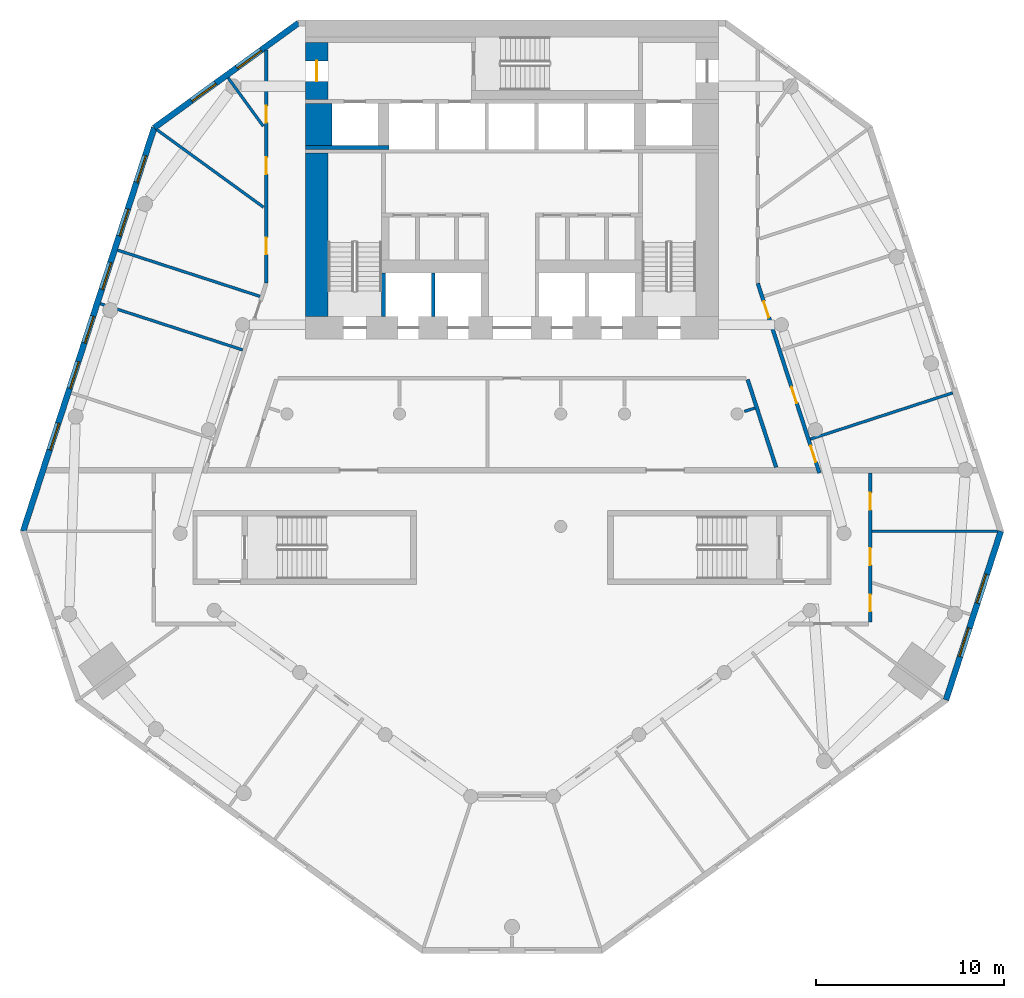
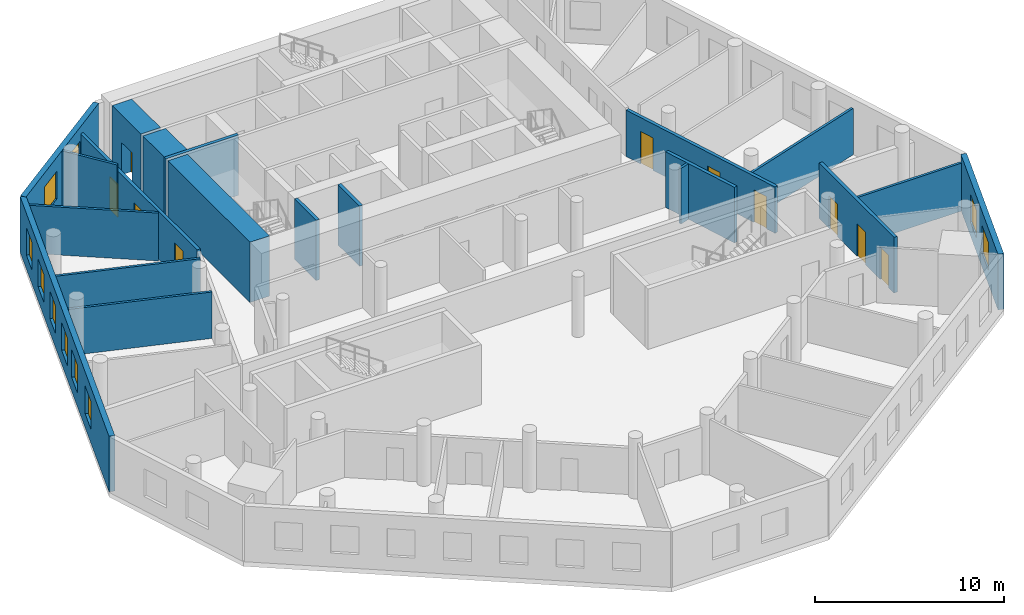
# One storey, part 4 of 9: 20 walls, 10 doors, 10 windows, 20 openings.
"""IFC4 building model written with IfcOpenShell, lengths in metres."""

from ifc_helpers import new_model, si_unit, direction, frame, frame_2d, origin, place, context, subcontext, project, spatial, rectangle, extrude, material, layer, layer_set, type_object, element, fill, save


model = new_model("IFC4")

# Units and contexts
model_context = context("Model", 3, precision=1e-05, world=origin(), true_north=direction((0.0, 1.0)))
body_context = subcontext(model_context, "Body", "Model", "MODEL_VIEW")
ifc_project = project(units=[si_unit("LENGTHUNIT", "METRE"), si_unit("AREAUNIT", "SQUARE_METRE"), si_unit("VOLUMEUNIT", "CUBIC_METRE"), si_unit("PLANEANGLEUNIT", "RADIAN"), si_unit("MASSUNIT", "GRAM", prefix="KILO")], contexts=[model_context])

# Site, building, storey
site_placement = place(None, origin())
site = spatial("IfcSite", under=ifc_project, at=site_placement, CompositionType="ELEMENT")
building_placement = place(site_placement, origin())
building = spatial("IfcBuilding", under=site, at=building_placement, Name="White Candle Pilgrim Tower", CompositionType="ELEMENT")
storey_placement = place(building_placement, frame((0.0, 0.0, 62.39990234375)))
storey = spatial("IfcBuildingStorey", under=building, at=storey_placement, Name="L12", CompositionType="ELEMENT", Elevation=62.39990234375)

# Wall, opening, door
ifc_material_1 = material(Name="Concrete C70/85", Category="concrete")
ifc_layer_1 = layer(ifc_material_1, 1.199951171875)
ifc_layer_set_1 = layer_set([ifc_layer_1], Name="Core wall 1200 mm Concrete C70/85")
wall_type_1 = type_object("IfcWallType", Name="Core wall 1200 mm Concrete C70/85", PredefinedType="SHEAR", material=ifc_layer_set_1)
wall_1_placement = place(storey_placement, frame((59.60009765625, 83.75, 0.0), z_axis=(0.0, 0.0, 1.0), x_axis=(0.0, 1.0, 0.0)))
wall_1 = element("IfcWall", 1, at=wall_1_placement, inside=storey, type_object=wall_type_1, Name="WL-L12-C46", PredefinedType="SHEAR", context=body_context, shape_type="SweptSolid", body=[
    extrude(rectangle(XDim=3.050048828125, YDim=1.199951171875, at=frame_2d((1.52490234375, 0.0))), origin(), (0.0, 0.0, 1.0), 3.900146484375),
])
opening_1_placement = place(wall_1_placement, frame((0.97509765625, 0.0, 0.0)))
opening_1 = element("IfcOpeningElement", 2, at=opening_1_placement, cuts=wall_1, Name="Opening T03-005", PredefinedType="OPENING", context=body_context, shape_type="SweptSolid", body=[
    extrude(rectangle(XDim=1.10009765625, YDim=2.10009765625, at=frame_2d((0.550048828125, 1.050048828125))), frame((0.0, 0.60986328125, 0.0), z_axis=(0.0, -1.0, 0.0), x_axis=(1.0, 0.0, 0.0)), (0.0, 0.0, 1.0), 1.219970703125),
])
ifc_material_2 = material(Name="Steel door leaf", Category="steel")
door_type_1 = type_object("IfcDoorType", Name="Fire door 1100 x 2100 EI 60", OperationType="NOTDEFINED", PredefinedType="DOOR", material=ifc_material_2)
door_1_placement = place(opening_1_placement, origin())
door_1 = element("IfcDoor", 3, at=door_1_placement, inside=storey, type_object=door_type_1, Name="Door T03-005", OperationType="SINGLE_SWING_LEFT", OverallHeight=2.10009765625, OverallWidth=1.10009765625, PredefinedType="DOOR", context=body_context, shape_type="SweptSolid", body=[
    extrude(rectangle(XDim=1.10009765625, YDim=2.10009765625, at=frame_2d((0.550048828125, 1.050048828125))), frame((0.0, 0.02490234375, 0.0), z_axis=(0.0, -1.0, 0.0), x_axis=(1.0, 0.0, 0.0)), (0.0, 0.0, 1.0), 0.050048828125),
])
fill(opening_1, door_1)

# Walls
ifc_layer_2 = layer(ifc_material_1, 1.39990234375)
ifc_layer_set_2 = layer_set([ifc_layer_2], Name="Core wall 1400 mm Concrete C70/85")
wall_type_2 = type_object("IfcWallType", Name="Core wall 1400 mm Concrete C70/85", PredefinedType="SHEAR", material=ifc_layer_set_2)
wall_2_placement = place(storey_placement, frame((59.699951171875, 81.300048828125, 0.0), z_axis=(0.0, 0.0, 1.0), x_axis=(0.0, 1.0, 0.0)))
element("IfcWall", 4, at=wall_2_placement, inside=storey, type_object=wall_type_2, Name="WL-L12-C41", PredefinedType="SHEAR", context=body_context, shape_type="SweptSolid", body=[
    extrude(rectangle(XDim=2.25, YDim=1.39990234375, at=frame_2d((1.125, 0.0))), origin(), (0.0, 0.0, 1.0), 3.900146484375),
])
ifc_layer_3 = layer(ifc_material_1, 0.199951171875)
ifc_layer_set_3 = layer_set([ifc_layer_3], Name="Core wall 200 mm Concrete C70/85")
wall_type_3 = type_object("IfcWallType", Name="Core wall 200 mm Concrete C70/85", PredefinedType="SHEAR", material=ifc_layer_set_3)
wall_3_placement = place(storey_placement, frame((59.0, 81.199951171875, 0.0), z_axis=(0.0, 0.0, 1.0), x_axis=(1.0, 0.0, 0.0)))
element("IfcWall", 5, at=wall_3_placement, inside=storey, type_object=wall_type_3, Name="WL-L12-C35", PredefinedType="SHEAR", context=body_context, shape_type="SweptSolid", body=[
    extrude(rectangle(XDim=4.449951171875, YDim=0.199951171875, at=frame_2d((2.22509765625, 0.0))), origin(), (0.0, 0.0, 1.0), 3.900146484375),
])

# Wall, openings, doors
ifc_material_3 = material(Name="Gypsum board on steel studs", Category="steel")
ifc_layer_4 = layer(ifc_material_3, 0.199951171875)
ifc_layer_set_4 = layer_set([ifc_layer_4], Name="Corridor wall 200 mm EI 45")
wall_type_4 = type_object("IfcWallType", Name="Corridor wall 200 mm EI 45", PredefinedType="PARTITIONING", material=ifc_layer_set_4)
wall_4_placement = place(storey_placement, frame((56.89990234375, 73.991455078125, 0.0), z_axis=(0.0, 0.0, 1.0), x_axis=(0.0, 1.0, 0.0)))
wall_4 = element("IfcWall", 6, at=wall_4_placement, inside=storey, type_object=wall_type_4, Name="WL-L12-P003", PredefinedType="PARTITIONING", context=body_context, shape_type="SweptSolid", body=[
    extrude(rectangle(XDim=12.40478515625, YDim=0.199951171875, at=frame_2d((6.202392578125, 0.0))), origin(), (0.0, 0.0, 1.0), 3.10009765625),
])
opening_2_placement = place(wall_4_placement, frame((1.507568359375, 0.0, 0.0)))
opening_2 = element("IfcOpeningElement", 7, at=opening_2_placement, cuts=wall_4, Name="Opening T03-118", PredefinedType="OPENING", context=body_context, shape_type="SweptSolid", body=[
    extrude(rectangle(XDim=0.89990234375, YDim=2.10009765625, at=frame_2d((0.449951171875, 1.050048828125))), frame((0.0, 0.10986328125, 0.0), z_axis=(0.0, -1.0, 0.0), x_axis=(1.0, 0.0, 0.0)), (0.0, 0.0, 1.0), 0.219970703125),
])
opening_3_placement = place(wall_4_placement, frame((5.78759765625, 0.0, 0.0)))
opening_3 = element("IfcOpeningElement", 8, at=opening_3_placement, cuts=wall_4, Name="Opening T03-119", PredefinedType="OPENING", context=body_context, shape_type="SweptSolid", body=[
    extrude(rectangle(XDim=0.89990234375, YDim=2.10009765625, at=frame_2d((0.449951171875, 1.050048828125))), frame((0.0, 0.10986328125, 0.0), z_axis=(0.0, -1.0, 0.0), x_axis=(1.0, 0.0, 0.0)), (0.0, 0.0, 1.0), 0.219970703125),
])
opening_4_placement = place(wall_4_placement, frame((8.533203125, 0.0, 0.0)))
opening_4 = element("IfcOpeningElement", 9, at=opening_4_placement, cuts=wall_4, Name="Opening T03-120", PredefinedType="OPENING", context=body_context, shape_type="SweptSolid", body=[
    extrude(rectangle(XDim=0.89990234375, YDim=2.10009765625, at=frame_2d((0.449951171875, 1.050048828125))), frame((0.0, 0.10986328125, 0.0), z_axis=(0.0, -1.0, 0.0), x_axis=(1.0, 0.0, 0.0)), (0.0, 0.0, 1.0), 0.219970703125),
])
door_type_2 = type_object("IfcDoorType", Name="Fire door 900 x 2100 EI 30", OperationType="NOTDEFINED", PredefinedType="DOOR", material=ifc_material_2)
door_2_placement = place(opening_2_placement, origin())
door_2 = element("IfcDoor", 10, at=door_2_placement, inside=storey, type_object=door_type_2, Name="Door T03-118", OperationType="SINGLE_SWING_RIGHT", OverallHeight=2.10009765625, OverallWidth=0.89990234375, PredefinedType="DOOR", context=body_context, shape_type="SweptSolid", body=[
    extrude(rectangle(XDim=0.89990234375, YDim=2.10009765625, at=frame_2d((0.449951171875, 1.050048828125))), frame((0.0, 0.02490234375, 0.0), z_axis=(0.0, -1.0, 0.0), x_axis=(1.0, 0.0, 0.0)), (0.0, 0.0, 1.0), 0.050048828125),
])
fill(opening_2, door_2)
door_3_placement = place(opening_3_placement, origin())
door_3 = element("IfcDoor", 11, at=door_3_placement, inside=storey, type_object=door_type_2, Name="Door T03-119", OperationType="SINGLE_SWING_LEFT", OverallHeight=2.10009765625, OverallWidth=0.89990234375, PredefinedType="DOOR", context=body_context, shape_type="SweptSolid", body=[
    extrude(rectangle(XDim=0.89990234375, YDim=2.10009765625, at=frame_2d((0.449951171875, 1.050048828125))), frame((0.0, 0.02490234375, 0.0), z_axis=(0.0, -1.0, 0.0), x_axis=(1.0, 0.0, 0.0)), (0.0, 0.0, 1.0), 0.050048828125),
])
fill(opening_3, door_3)
door_4_placement = place(opening_4_placement, origin())
door_4 = element("IfcDoor", 12, at=door_4_placement, inside=storey, type_object=door_type_2, Name="Door T03-120", OperationType="SINGLE_SWING_RIGHT", OverallHeight=2.10009765625, OverallWidth=0.89990234375, PredefinedType="DOOR", context=body_context, shape_type="SweptSolid", body=[
    extrude(rectangle(XDim=0.89990234375, YDim=2.10009765625, at=frame_2d((0.449951171875, 1.050048828125))), frame((0.0, 0.02490234375, 0.0), z_axis=(0.0, -1.0, 0.0), x_axis=(1.0, 0.0, 0.0)), (0.0, 0.0, 1.0), 0.050048828125),
])
fill(opening_4, door_4)

wall_5_placement = place(storey_placement, frame((83.10498046875, 73.960693359375, 0.0), z_axis=(0.0, 0.0, 1.0), x_axis=(0.308998312102, -0.951062586331, 0.0)))
wall_5 = element("IfcWall", 13, at=wall_5_placement, inside=storey, type_object=wall_type_4, Name="WL-L12-P005", PredefinedType="PARTITIONING", context=body_context, shape_type="SweptSolid", body=[
    extrude(rectangle(XDim=10.630859375, YDim=0.199951171875, at=frame_2d((5.3154296875, 0.0))), origin(), (0.0, 0.0, 1.0), 3.0),
])
opening_5_placement = place(wall_5_placement, frame((1.014404296875, 0.0, 0.0)))
opening_5 = element("IfcOpeningElement", 14, at=opening_5_placement, cuts=wall_5, Name="Opening T03-125", PredefinedType="OPENING", context=body_context, shape_type="SweptSolid", body=[
    extrude(rectangle(XDim=0.89990234375, YDim=2.10009765625, at=frame_2d((0.449951171875, 1.050048828125))), frame((0.0, 0.10986328125, 0.0), z_axis=(0.0, -1.0, 0.0), x_axis=(1.0, 0.0, 0.0)), (0.0, 0.0, 1.0), 0.219970703125),
])
opening_6_placement = place(wall_5_placement, frame((5.814208984375, 0.0, 0.0)))
opening_6 = element("IfcOpeningElement", 15, at=opening_6_placement, cuts=wall_5, Name="Opening T03-126", PredefinedType="OPENING", context=body_context, shape_type="SweptSolid", body=[
    extrude(rectangle(XDim=0.89990234375, YDim=2.10009765625, at=frame_2d((0.449951171875, 1.050048828125))), frame((0.0, 0.10986328125, 0.0), z_axis=(0.0, -1.0, 0.0), x_axis=(1.0, 0.0, 0.0)), (0.0, 0.0, 1.0), 0.219970703125),
])
opening_7_placement = place(wall_5_placement, frame((9.107666015625, 0.0, 0.0)))
opening_7 = element("IfcOpeningElement", 16, at=opening_7_placement, cuts=wall_5, Name="Opening T03-127", PredefinedType="OPENING", context=body_context, shape_type="SweptSolid", body=[
    extrude(rectangle(XDim=0.89990234375, YDim=2.10009765625, at=frame_2d((0.449951171875, 1.050048828125))), frame((0.0, 0.10986328125, 0.0), z_axis=(0.0, -1.0, 0.0), x_axis=(1.0, 0.0, 0.0)), (0.0, 0.0, 1.0), 0.219970703125),
])
door_5_placement = place(opening_5_placement, origin())
door_5 = element("IfcDoor", 17, at=door_5_placement, inside=storey, type_object=door_type_2, Name="Door T03-125", OperationType="SINGLE_SWING_LEFT", OverallHeight=2.10009765625, OverallWidth=0.89990234375, PredefinedType="DOOR", context=body_context, shape_type="SweptSolid", body=[
    extrude(rectangle(XDim=0.89990234375, YDim=2.10009765625, at=frame_2d((0.449951171875, 1.050048828125))), frame((0.0, 0.02490234375, 0.0), z_axis=(0.0, -1.0, 0.0), x_axis=(1.0, 0.0, 0.0)), (0.0, 0.0, 1.0), 0.050048828125),
])
fill(opening_5, door_5)
door_6_placement = place(opening_6_placement, origin())
door_6 = element("IfcDoor", 18, at=door_6_placement, inside=storey, type_object=door_type_2, Name="Door T03-126", OperationType="SINGLE_SWING_RIGHT", OverallHeight=2.10009765625, OverallWidth=0.89990234375, PredefinedType="DOOR", context=body_context, shape_type="SweptSolid", body=[
    extrude(rectangle(XDim=0.89990234375, YDim=2.10009765625, at=frame_2d((0.449951171875, 1.050048828125))), frame((0.0, 0.02490234375, 0.0), z_axis=(0.0, -1.0, 0.0), x_axis=(1.0, 0.0, 0.0)), (0.0, 0.0, 1.0), 0.050048828125),
])
fill(opening_6, door_6)
door_7_placement = place(opening_7_placement, origin())
door_7 = element("IfcDoor", 19, at=door_7_placement, inside=storey, type_object=door_type_2, Name="Door T03-127", OperationType="SINGLE_SWING_LEFT", OverallHeight=2.10009765625, OverallWidth=0.89990234375, PredefinedType="DOOR", context=body_context, shape_type="SweptSolid", body=[
    extrude(rectangle(XDim=0.89990234375, YDim=2.10009765625, at=frame_2d((0.449951171875, 1.050048828125))), frame((0.0, 0.02490234375, 0.0), z_axis=(0.0, -1.0, 0.0), x_axis=(1.0, 0.0, 0.0)), (0.0, 0.0, 1.0), 0.050048828125),
])
fill(opening_7, door_7)

wall_6_placement = place(storey_placement, frame((89.10009765625, 63.85009765625, 0.0), z_axis=(0.0, 0.0, 1.0), x_axis=(0.0, -1.0, 0.0)))
wall_6 = element("IfcWall", 20, at=wall_6_placement, inside=storey, type_object=wall_type_4, Name="WL-L12-P006", PredefinedType="PARTITIONING", context=body_context, shape_type="SweptSolid", body=[
    extrude(rectangle(XDim=7.9501953125, YDim=0.199951171875, at=frame_2d((3.97509765625, 0.0))), origin(), (0.0, 0.0, 1.0), 3.60009765625),
])
opening_8_placement = place(wall_6_placement, frame((6.482666015625, 0.0, 0.0)))
opening_8 = element("IfcOpeningElement", 21, at=opening_8_placement, cuts=wall_6, Name="Opening T03-110", PredefinedType="OPENING", context=body_context, shape_type="SweptSolid", body=[
    extrude(rectangle(XDim=0.89990234375, YDim=2.10009765625, at=frame_2d((0.449951171875, 1.050048828125))), frame((0.0, 0.10986328125, 0.0), z_axis=(0.0, -1.0, 0.0), x_axis=(1.0, 0.0, 0.0)), (0.0, 0.0, 1.0), 0.219970703125),
])
opening_9_placement = place(wall_6_placement, frame((4.0087890625, 0.0, 0.0)))
opening_9 = element("IfcOpeningElement", 22, at=opening_9_placement, cuts=wall_6, Name="Opening T03-111", PredefinedType="OPENING", context=body_context, shape_type="SweptSolid", body=[
    extrude(rectangle(XDim=0.89990234375, YDim=2.10009765625, at=frame_2d((0.449951171875, 1.050048828125))), frame((0.0, 0.10986328125, 0.0), z_axis=(0.0, -1.0, 0.0), x_axis=(1.0, 0.0, 0.0)), (0.0, 0.0, 1.0), 0.219970703125),
])
opening_10_placement = place(wall_6_placement, frame((1.063720703125, 0.0, 0.0)))
opening_10 = element("IfcOpeningElement", 23, at=opening_10_placement, cuts=wall_6, Name="Opening T03-128", PredefinedType="OPENING", context=body_context, shape_type="SweptSolid", body=[
    extrude(rectangle(XDim=0.89990234375, YDim=2.10009765625, at=frame_2d((0.449951171875, 1.050048828125))), frame((0.0, 0.10986328125, 0.0), z_axis=(0.0, -1.0, 0.0), x_axis=(1.0, 0.0, 0.0)), (0.0, 0.0, 1.0), 0.219970703125),
])
door_8_placement = place(opening_8_placement, origin())
door_8 = element("IfcDoor", 24, at=door_8_placement, inside=storey, type_object=door_type_2, Name="Door T03-110", OperationType="SINGLE_SWING_RIGHT", OverallHeight=2.10009765625, OverallWidth=0.89990234375, PredefinedType="DOOR", context=body_context, shape_type="SweptSolid", body=[
    extrude(rectangle(XDim=0.89990234375, YDim=2.10009765625, at=frame_2d((0.449951171875, 1.050048828125))), frame((0.0, 0.02490234375, 0.0), z_axis=(0.0, -1.0, 0.0), x_axis=(1.0, 0.0, 0.0)), (0.0, 0.0, 1.0), 0.050048828125),
])
fill(opening_8, door_8)
door_9_placement = place(opening_9_placement, origin())
door_9 = element("IfcDoor", 25, at=door_9_placement, inside=storey, type_object=door_type_2, Name="Door T03-111", OperationType="SINGLE_SWING_LEFT", OverallHeight=2.10009765625, OverallWidth=0.89990234375, PredefinedType="DOOR", context=body_context, shape_type="SweptSolid", body=[
    extrude(rectangle(XDim=0.89990234375, YDim=2.10009765625, at=frame_2d((0.449951171875, 1.050048828125))), frame((0.0, 0.02490234375, 0.0), z_axis=(0.0, -1.0, 0.0), x_axis=(1.0, 0.0, 0.0)), (0.0, 0.0, 1.0), 0.050048828125),
])
fill(opening_9, door_9)
door_10_placement = place(opening_10_placement, origin())
door_10 = element("IfcDoor", 26, at=door_10_placement, inside=storey, type_object=door_type_2, Name="Door T03-128", OperationType="SINGLE_SWING_RIGHT", OverallHeight=2.10009765625, OverallWidth=0.89990234375, PredefinedType="DOOR", context=body_context, shape_type="SweptSolid", body=[
    extrude(rectangle(XDim=0.89990234375, YDim=2.10009765625, at=frame_2d((0.449951171875, 1.050048828125))), frame((0.0, 0.02490234375, 0.0), z_axis=(0.0, -1.0, 0.0), x_axis=(1.0, 0.0, 0.0)), (0.0, 0.0, 1.0), 0.050048828125),
])
fill(opening_10, door_10)

# Wall
wall_7_placement = place(storey_placement, frame((84.08447265625, 64.14990234375, 0.0), z_axis=(0.0, 0.0, 1.0), x_axis=(-0.308986244793, 0.95106650689, 0.0)))
element("IfcWall", 27, at=wall_7_placement, inside=storey, type_object=wall_type_4, Name="WL-L12-P015", PredefinedType="PARTITIONING", context=body_context, shape_type="SweptSolid", body=[
    extrude(rectangle(XDim=4.921630859375, YDim=0.199951171875, at=frame_2d((2.4609375, 0.0))), origin(), (0.0, 0.0, 1.0), 3.60009765625),
])

# Wall, openings, windows
ifc_material_4 = material(Name="Precast concrete C40/50", Category="concrete")
ifc_layer_5 = layer(ifc_material_4, 0.320068359375)
ifc_layer_set_5 = layer_set([ifc_layer_5], Name="Facade wall EW1 precast concrete C40/50 pier wall with timber-lined reveals")
wall_type_5 = type_object("IfcWallType", Name="Facade wall EW1 precast concrete C40/50 pier wall with timber-lined reveals", PredefinedType="SOLIDWALL", material=ifc_layer_set_5)
wall_8_placement = place(storey_placement, frame((93.137939453125, 51.747802734375, 0.0), z_axis=(0.0, 0.0, 1.0), x_axis=(0.309035900621, 0.951050373076, 0.0)))
wall_8 = element("IfcWall", 28, at=wall_8_placement, inside=storey, type_object=wall_type_5, Name="Facade wall L12 E chamfer", PredefinedType="SOLIDWALL", context=body_context, shape_type="SweptSolid", body=[
    extrude(rectangle(XDim=9.462646484375, YDim=0.320068359375, at=frame_2d((4.7314453125, 0.0))), origin(), (0.0, 0.0, 1.0), 3.60009765625),
])
opening_11_placement = place(wall_8_placement, frame((2.431396484375, 0.0, 0.89990234375)))
opening_11 = element("IfcOpeningElement", 29, at=opening_11_placement, cuts=wall_8, Name="Opening W2", PredefinedType="OPENING", context=body_context, shape_type="SweptSolid", body=[
    extrude(rectangle(XDim=1.60009765625, YDim=1.800048828125, at=frame_2d((0.800048828125, 0.89990234375))), frame((0.0, 0.169921875, 0.0), z_axis=(0.0, -1.0, 0.0), x_axis=(1.0, 0.0, 0.0)), (0.0, 0.0, 1.0), 0.340087890625),
])
opening_12_placement = place(wall_8_placement, frame((5.431396484375, 0.0, 0.89990234375)))
opening_12 = element("IfcOpeningElement", 30, at=opening_12_placement, cuts=wall_8, Name="Opening W2", PredefinedType="OPENING", context=body_context, shape_type="SweptSolid", body=[
    extrude(rectangle(XDim=1.60009765625, YDim=1.800048828125, at=frame_2d((0.800048828125, 0.89990234375))), frame((0.0, 0.169921875, 0.0), z_axis=(0.0, -1.0, 0.0), x_axis=(1.0, 0.0, 0.0)), (0.0, 0.0, 1.0), 0.340087890625),
])
ifc_material_5 = material(Name="Timber frame with triple glazing", Category="wood")
window_type_1 = type_object("IfcWindowType", Name="Window W2 1600x1800 timber frame triple glazing", PartitioningType="SINGLE_PANEL", PredefinedType="WINDOW", material=ifc_material_5)
window_1_placement = place(opening_11_placement, origin())
window_1 = element("IfcWindow", 31, at=window_1_placement, inside=storey, type_object=window_type_1, Name="Window W2 L12 E chamfer 1", OverallHeight=1.800048828125, OverallWidth=1.60009765625, PartitioningType="SINGLE_PANEL", PredefinedType="WINDOW", context=body_context, shape_type="SweptSolid", body=[
    extrude(rectangle(XDim=1.60009765625, YDim=1.800048828125, at=frame_2d((0.800048828125, 0.89990234375))), frame((0.0, 0.070068359375, 0.0), z_axis=(0.0, -1.0, 0.0), x_axis=(1.0, 0.0, 0.0)), (0.0, 0.0, 1.0), 0.06005859375),
])
fill(opening_11, window_1)
window_2_placement = place(opening_12_placement, origin())
window_2 = element("IfcWindow", 32, at=window_2_placement, inside=storey, type_object=window_type_1, Name="Window W2 L12 E chamfer 2", OverallHeight=1.800048828125, OverallWidth=1.60009765625, PartitioningType="SINGLE_PANEL", PredefinedType="WINDOW", context=body_context, shape_type="SweptSolid", body=[
    extrude(rectangle(XDim=1.60009765625, YDim=1.800048828125, at=frame_2d((0.800048828125, 0.89990234375))), frame((0.0, 0.070068359375, 0.0), z_axis=(0.0, -1.0, 0.0), x_axis=(1.0, 0.0, 0.0)), (0.0, 0.0, 1.0), 0.06005859375),
])
fill(opening_12, window_2)

wall_9_placement = place(storey_placement, frame((58.614990234375, 87.840087890625, 0.0), z_axis=(0.0, 0.0, 1.0), x_axis=(-0.809007020713, -0.587798979616, 0.0)))
wall_9 = element("IfcWall", 33, at=wall_9_placement, inside=storey, type_object=wall_type_5, Name="Facade wall L12 NW chamfer", PredefinedType="SOLIDWALL", context=body_context, shape_type="SweptSolid", body=[
    extrude(rectangle(XDim=9.5048828125, YDim=0.320068359375, at=frame_2d((4.75244140625, 0.0))), origin(), (0.0, 0.0, 1.0), 3.60009765625),
])
opening_13_placement = place(wall_9_placement, frame((2.459716796875, 0.0, 0.89990234375)))
opening_13 = element("IfcOpeningElement", 34, at=opening_13_placement, cuts=wall_9, Name="Opening W2", PredefinedType="OPENING", context=body_context, shape_type="SweptSolid", body=[
    extrude(rectangle(XDim=1.60009765625, YDim=1.800048828125, at=frame_2d((0.800048828125, 0.89990234375))), frame((0.0, 0.169921875, 0.0), z_axis=(0.0, -1.0, 0.0), x_axis=(1.0, 0.0, 0.0)), (0.0, 0.0, 1.0), 0.340087890625),
])
opening_14_placement = place(wall_9_placement, frame((5.452392578125, 0.0, 0.89990234375)))
opening_14 = element("IfcOpeningElement", 35, at=opening_14_placement, cuts=wall_9, Name="Opening W2", PredefinedType="OPENING", context=body_context, shape_type="SweptSolid", body=[
    extrude(rectangle(XDim=1.60009765625, YDim=1.800048828125, at=frame_2d((0.800048828125, 0.89990234375))), frame((0.0, 0.169921875, 0.0), z_axis=(0.0, -1.0, 0.0), x_axis=(1.0, 0.0, 0.0)), (0.0, 0.0, 1.0), 0.340087890625),
])
window_3_placement = place(opening_13_placement, origin())
window_3 = element("IfcWindow", 36, at=window_3_placement, inside=storey, type_object=window_type_1, Name="Window W2 L12 NW chamfer 1", OverallHeight=1.800048828125, OverallWidth=1.60009765625, PartitioningType="SINGLE_PANEL", PredefinedType="WINDOW", context=body_context, shape_type="SweptSolid", body=[
    extrude(rectangle(XDim=1.60009765625, YDim=1.800048828125, at=frame_2d((0.800048828125, 0.89990234375))), frame((0.0, 0.070068359375, 0.0), z_axis=(0.0, -1.0, 0.0), x_axis=(1.0, 0.0, 0.0)), (0.0, 0.0, 1.0), 0.06005859375),
])
fill(opening_13, window_3)
window_4_placement = place(opening_14_placement, origin())
window_4 = element("IfcWindow", 37, at=window_4_placement, inside=storey, type_object=window_type_1, Name="Window W2 L12 NW chamfer 2", OverallHeight=1.800048828125, OverallWidth=1.60009765625, PartitioningType="SINGLE_PANEL", PredefinedType="WINDOW", context=body_context, shape_type="SweptSolid", body=[
    extrude(rectangle(XDim=1.60009765625, YDim=1.800048828125, at=frame_2d((0.800048828125, 0.89990234375))), frame((0.0, 0.070068359375, 0.0), z_axis=(0.0, -1.0, 0.0), x_axis=(1.0, 0.0, 0.0)), (0.0, 0.0, 1.0), 0.06005859375),
])
fill(opening_14, window_4)

wall_10_placement = place(storey_placement, frame((50.925537109375, 82.253173828125, 0.0), z_axis=(0.0, 0.0, 1.0), x_axis=(-0.309021621323, -0.951055012896, 0.0)))
wall_10 = element("IfcWall", 38, at=wall_10_placement, inside=storey, type_object=wall_type_5, Name="Facade wall L12 WNW", PredefinedType="SOLIDWALL", context=body_context, shape_type="SweptSolid", body=[
    extrude(rectangle(XDim=22.612548828125, YDim=0.320068359375, at=frame_2d((11.30615234375, 0.0))), origin(), (0.0, 0.0, 1.0), 3.60009765625),
])
opening_15_placement = place(wall_10_placement, frame((1.556396484375, 0.0, 0.89990234375)))
opening_15 = element("IfcOpeningElement", 39, at=opening_15_placement, cuts=wall_10, Name="Opening W1", PredefinedType="OPENING", context=body_context, shape_type="SweptSolid", body=[
    extrude(rectangle(XDim=1.5, YDim=1.800048828125, at=frame_2d((0.75, 0.89990234375))), frame((0.0, 0.169921875, 0.0), z_axis=(0.0, -1.0, 0.0), x_axis=(1.0, 0.0, 0.0)), (0.0, 0.0, 1.0), 0.340087890625),
])
opening_16_placement = place(wall_10_placement, frame((4.556396484375, 0.0, 0.89990234375)))
opening_16 = element("IfcOpeningElement", 40, at=opening_16_placement, cuts=wall_10, Name="Opening W1", PredefinedType="OPENING", context=body_context, shape_type="SweptSolid", body=[
    extrude(rectangle(XDim=1.5, YDim=1.800048828125, at=frame_2d((0.75, 0.89990234375))), frame((0.0, 0.169921875, 0.0), z_axis=(0.0, -1.0, 0.0), x_axis=(1.0, 0.0, 0.0)), (0.0, 0.0, 1.0), 0.340087890625),
])
opening_17_placement = place(wall_10_placement, frame((7.556396484375, 0.0, 0.89990234375)))
opening_17 = element("IfcOpeningElement", 41, at=opening_17_placement, cuts=wall_10, Name="Opening W1", PredefinedType="OPENING", context=body_context, shape_type="SweptSolid", body=[
    extrude(rectangle(XDim=1.5, YDim=1.800048828125, at=frame_2d((0.75, 0.89990234375))), frame((0.0, 0.169921875, 0.0), z_axis=(0.0, -1.0, 0.0), x_axis=(1.0, 0.0, 0.0)), (0.0, 0.0, 1.0), 0.340087890625),
])
opening_18_placement = place(wall_10_placement, frame((10.556396484375, 0.0, 0.89990234375)))
opening_18 = element("IfcOpeningElement", 42, at=opening_18_placement, cuts=wall_10, Name="Opening W1", PredefinedType="OPENING", context=body_context, shape_type="SweptSolid", body=[
    extrude(rectangle(XDim=1.5, YDim=1.800048828125, at=frame_2d((0.75, 0.89990234375))), frame((0.0, 0.169921875, 0.0), z_axis=(0.0, -1.0, 0.0), x_axis=(1.0, 0.0, 0.0)), (0.0, 0.0, 1.0), 0.340087890625),
])
opening_19_placement = place(wall_10_placement, frame((13.106201171875, 0.0, 0.89990234375)))
opening_19 = element("IfcOpeningElement", 43, at=opening_19_placement, cuts=wall_10, Name="Opening W1", PredefinedType="OPENING", context=body_context, shape_type="SweptSolid", body=[
    extrude(rectangle(XDim=1.5, YDim=1.800048828125, at=frame_2d((0.75, 0.89990234375))), frame((0.0, 0.169921875, 0.0), z_axis=(0.0, -1.0, 0.0), x_axis=(1.0, 0.0, 0.0)), (0.0, 0.0, 1.0), 0.340087890625),
])
opening_20_placement = place(wall_10_placement, frame((16.556396484375, 0.0, 0.89990234375)))
opening_20 = element("IfcOpeningElement", 44, at=opening_20_placement, cuts=wall_10, Name="Opening W1", PredefinedType="OPENING", context=body_context, shape_type="SweptSolid", body=[
    extrude(rectangle(XDim=1.5, YDim=1.800048828125, at=frame_2d((0.75, 0.89990234375))), frame((0.0, 0.169921875, 0.0), z_axis=(0.0, -1.0, 0.0), x_axis=(1.0, 0.0, 0.0)), (0.0, 0.0, 1.0), 0.340087890625),
])
window_type_2 = type_object("IfcWindowType", Name="Window W1 1500x1800 timber frame triple glazing", PartitioningType="SINGLE_PANEL", PredefinedType="WINDOW", material=ifc_material_5)
window_5_placement = place(opening_15_placement, origin())
window_5 = element("IfcWindow", 45, at=window_5_placement, inside=storey, type_object=window_type_2, Name="Window W1 L12 WNW 1", OverallHeight=1.800048828125, OverallWidth=1.5, PartitioningType="SINGLE_PANEL", PredefinedType="WINDOW", context=body_context, shape_type="SweptSolid", body=[
    extrude(rectangle(XDim=1.5, YDim=1.800048828125, at=frame_2d((0.75, 0.89990234375))), frame((0.0, 0.070068359375, 0.0), z_axis=(0.0, -1.0, 0.0), x_axis=(1.0, 0.0, 0.0)), (0.0, 0.0, 1.0), 0.06005859375),
])
fill(opening_15, window_5)
window_6_placement = place(opening_16_placement, origin())
window_6 = element("IfcWindow", 46, at=window_6_placement, inside=storey, type_object=window_type_2, Name="Window W1 L12 WNW 2", OverallHeight=1.800048828125, OverallWidth=1.5, PartitioningType="SINGLE_PANEL", PredefinedType="WINDOW", context=body_context, shape_type="SweptSolid", body=[
    extrude(rectangle(XDim=1.5, YDim=1.800048828125, at=frame_2d((0.75, 0.89990234375))), frame((0.0, 0.070068359375, 0.0), z_axis=(0.0, -1.0, 0.0), x_axis=(1.0, 0.0, 0.0)), (0.0, 0.0, 1.0), 0.06005859375),
])
fill(opening_16, window_6)
window_7_placement = place(opening_17_placement, origin())
window_7 = element("IfcWindow", 47, at=window_7_placement, inside=storey, type_object=window_type_2, Name="Window W1 L12 WNW 3", OverallHeight=1.800048828125, OverallWidth=1.5, PartitioningType="SINGLE_PANEL", PredefinedType="WINDOW", context=body_context, shape_type="SweptSolid", body=[
    extrude(rectangle(XDim=1.5, YDim=1.800048828125, at=frame_2d((0.75, 0.89990234375))), frame((0.0, 0.070068359375, 0.0), z_axis=(0.0, -1.0, 0.0), x_axis=(1.0, 0.0, 0.0)), (0.0, 0.0, 1.0), 0.06005859375),
])
fill(opening_17, window_7)
window_8_placement = place(opening_18_placement, origin())
window_8 = element("IfcWindow", 48, at=window_8_placement, inside=storey, type_object=window_type_2, Name="Window W1 L12 WNW 4", OverallHeight=1.800048828125, OverallWidth=1.5, PartitioningType="SINGLE_PANEL", PredefinedType="WINDOW", context=body_context, shape_type="SweptSolid", body=[
    extrude(rectangle(XDim=1.5, YDim=1.800048828125, at=frame_2d((0.75, 0.89990234375))), frame((0.0, 0.070068359375, 0.0), z_axis=(0.0, -1.0, 0.0), x_axis=(1.0, 0.0, 0.0)), (0.0, 0.0, 1.0), 0.06005859375),
])
fill(opening_18, window_8)
window_9_placement = place(opening_19_placement, origin())
window_9 = element("IfcWindow", 49, at=window_9_placement, inside=storey, type_object=window_type_2, Name="Window W1 L12 WNW 5", OverallHeight=1.800048828125, OverallWidth=1.5, PartitioningType="SINGLE_PANEL", PredefinedType="WINDOW", context=body_context, shape_type="SweptSolid", body=[
    extrude(rectangle(XDim=1.5, YDim=1.800048828125, at=frame_2d((0.75, 0.89990234375))), frame((0.0, 0.070068359375, 0.0), z_axis=(0.0, -1.0, 0.0), x_axis=(1.0, 0.0, 0.0)), (0.0, 0.0, 1.0), 0.06005859375),
])
fill(opening_19, window_9)
window_10_placement = place(opening_20_placement, origin())
window_10 = element("IfcWindow", 50, at=window_10_placement, inside=storey, type_object=window_type_2, Name="Window W1 L12 WNW 6", OverallHeight=1.800048828125, OverallWidth=1.5, PartitioningType="SINGLE_PANEL", PredefinedType="WINDOW", context=body_context, shape_type="SweptSolid", body=[
    extrude(rectangle(XDim=1.5, YDim=1.800048828125, at=frame_2d((0.75, 0.89990234375))), frame((0.0, 0.070068359375, 0.0), z_axis=(0.0, -1.0, 0.0), x_axis=(1.0, 0.0, 0.0)), (0.0, 0.0, 1.0), 0.06005859375),
])
fill(opening_20, window_10)

# Walls
ifc_layer_6 = layer(ifc_material_3, 0.14990234375)
ifc_layer_set_6 = layer_set([ifc_layer_6], Name="Partition 150 mm EI 60")
wall_type_6 = type_object("IfcWallType", Name="Partition 150 mm EI 60", PredefinedType="PARTITIONING", material=ifc_layer_set_6)
wall_11_placement = place(storey_placement, frame((51.0615234375, 82.154296875, 0.0), z_axis=(0.0, 0.0, 1.0), x_axis=(0.809014980817, -0.587788023707, 0.0)))
element("IfcWall", 51, at=wall_11_placement, inside=storey, type_object=wall_type_6, Name="WL-L12-P016", PredefinedType="PARTITIONING", context=body_context, shape_type="SweptSolid", body=[
    extrude(rectangle(XDim=7.03857421875, YDim=0.14990234375, at=frame_2d((3.519287109375, 0.0))), origin(), (0.0, 0.0, 1.0), 3.10009765625),
])
wall_12_placement = place(storey_placement, frame((95.89404296875, 60.747314453125, 0.0), z_axis=(0.0, 0.0, 1.0), x_axis=(-1.0, 0.0, 0.0)))
element("IfcWall", 52, at=wall_12_placement, inside=storey, type_object=wall_type_6, Name="WL-L12-P022", PredefinedType="PARTITIONING", context=body_context, shape_type="SweptSolid", body=[
    extrude(rectangle(XDim=6.694091796875, YDim=0.14990234375, at=frame_2d((3.34716796875, 0.0))), origin(), (0.0, 0.0, 1.0), 3.10009765625),
])
wall_13_placement = place(storey_placement, frame((54.8642578125, 84.917236328125, 0.0), z_axis=(0.0, 0.0, 1.0), x_axis=(0.587771173364, -0.809027223128, 0.0)))
element("IfcWall", 53, at=wall_13_placement, inside=storey, type_object=wall_type_6, Name="WL-L12-P024", PredefinedType="PARTITIONING", context=body_context, shape_type="SweptSolid", body=[
    extrude(rectangle(XDim=3.18994140625, YDim=0.14990234375, at=frame_2d((1.594970703125, 0.0))), origin(), (0.0, 0.0, 1.0), 3.60009765625),
])
wall_14_placement = place(storey_placement, frame((48.974365234375, 75.730712890625, 0.0), z_axis=(0.0, 0.0, 1.0), x_axis=(0.95105160396, -0.309032112578, 0.0)))
element("IfcWall", 54, at=wall_14_placement, inside=storey, type_object=wall_type_6, Name="WL-L12-P025", PredefinedType="PARTITIONING", context=body_context, shape_type="SweptSolid", body=[
    extrude(rectangle(XDim=7.97998046875, YDim=0.14990234375, at=frame_2d((3.989990234375, 0.0))), origin(), (0.0, 0.0, 1.0), 3.10009765625),
])
wall_15_placement = place(storey_placement, frame((48.04736328125, 72.87744140625, 0.0), z_axis=(0.0, 0.0, 1.0), x_axis=(0.951060595449, -0.309004439749, 0.0)))
element("IfcWall", 55, at=wall_15_placement, inside=storey, type_object=wall_type_6, Name="WL-L12-P026", PredefinedType="PARTITIONING", context=body_context, shape_type="SweptSolid", body=[
    extrude(rectangle(XDim=7.97998046875, YDim=0.14990234375, at=frame_2d((3.989990234375, 0.0))), origin(), (0.0, 0.0, 1.0), 3.0),
])
wall_16_placement = place(storey_placement, frame((93.497802734375, 68.122314453125, 0.0), z_axis=(0.0, 0.0, 1.0), x_axis=(-0.951054525606, -0.30902312102, 0.0)))
element("IfcWall", 56, at=wall_16_placement, inside=storey, type_object=wall_type_6, Name="WL-L12-P034", PredefinedType="PARTITIONING", context=body_context, shape_type="SweptSolid", body=[
    extrude(rectangle(XDim=7.980224609375, YDim=0.14990234375, at=frame_2d((3.990234375, 0.0))), origin(), (0.0, 0.0, 1.0), 3.0),
])
wall_17_placement = place(storey_placement, frame((82.393798828125, 67.131103515625, 0.0), z_axis=(0.0, 0.0, 1.0), x_axis=(0.9511501924, 0.30872854014, 0.0)))
element("IfcWall", 57, at=wall_17_placement, inside=storey, type_object=wall_type_6, Name="WL-L12-P047", PredefinedType="PARTITIONING", context=body_context, shape_type="SweptSolid", body=[
    extrude(rectangle(XDim=0.586669921875, YDim=0.14990234375, at=frame_2d((0.29345703125, 0.0))), origin(), (0.0, 0.0, 1.0), 3.60009765625),
])
ifc_layer_7 = layer(ifc_material_1, 0.199951171875)
ifc_layer_set_7 = layer_set([ifc_layer_7], Name="Shaft wall 200 mm Concrete C70/85")
wall_type_7 = type_object("IfcWallType", Name="Shaft wall 200 mm Concrete C70/85", PredefinedType="SHEAR", material=ifc_layer_set_7)
wall_18_placement = place(storey_placement, frame((65.800048828125, 72.199951171875, 0.0), z_axis=(0.0, 0.0, 1.0), x_axis=(0.0, 1.0, 0.0)))
element("IfcWall", 58, at=wall_18_placement, inside=storey, type_object=wall_type_7, Name="WL-L12-C14", PredefinedType="SHEAR", context=body_context, shape_type="SweptSolid", body=[
    extrude(rectangle(XDim=2.300048828125, YDim=0.199951171875, at=frame_2d((1.14990234375, 0.0))), origin(), (0.0, 0.0, 1.0), 3.900146484375),
])
ifc_layer_8 = layer(ifc_material_1, 1.199951171875)
ifc_layer_set_8 = layer_set([ifc_layer_8], Name="Stair shaft wall 1200 mm Concrete C70/85")
wall_type_8 = type_object("IfcWallType", Name="Stair shaft wall 1200 mm Concrete C70/85", PredefinedType="SHEAR", material=ifc_layer_set_8)
wall_19_placement = place(storey_placement, frame((59.60009765625, 72.199951171875, 0.0), z_axis=(0.0, 0.0, 1.0), x_axis=(0.0, 1.0, 0.0)))
element("IfcWall", 59, at=wall_19_placement, inside=storey, type_object=wall_type_8, Name="WL-L12-C12", PredefinedType="SHEAR", context=body_context, shape_type="SweptSolid", body=[
    extrude(rectangle(XDim=8.699951171875, YDim=1.199951171875, at=frame_2d((4.35009765625, 0.0))), origin(), (0.0, 0.0, 1.0), 3.900146484375),
])
ifc_layer_9 = layer(ifc_material_1, 0.199951171875)
ifc_layer_set_9 = layer_set([ifc_layer_9], Name="Stair shaft wall 200 mm Concrete C70/85")
wall_type_9 = type_object("IfcWallType", Name="Stair shaft wall 200 mm Concrete C70/85", PredefinedType="SHEAR", material=ifc_layer_set_9)
wall_20_placement = place(storey_placement, frame((63.14990234375, 72.199951171875, 0.0), z_axis=(0.0, 0.0, 1.0), x_axis=(0.0, 1.0, 0.0)))
element("IfcWall", 60, at=wall_20_placement, inside=storey, type_object=wall_type_9, Name="WL-L12-C13", PredefinedType="SHEAR", context=body_context, shape_type="SweptSolid", body=[
    extrude(rectangle(XDim=2.300048828125, YDim=0.199951171875, at=frame_2d((1.14990234375, 0.0))), origin(), (0.0, 0.0, 1.0), 3.900146484375),
])

save(model, "model.ifc")
